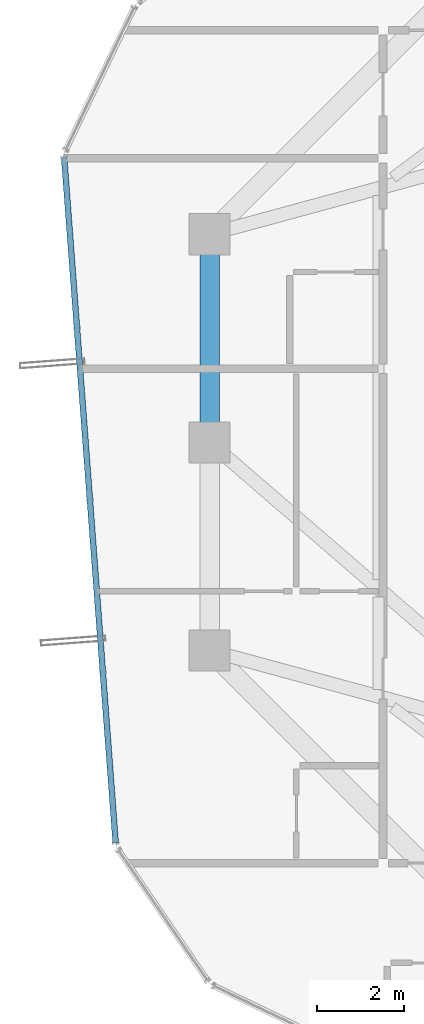
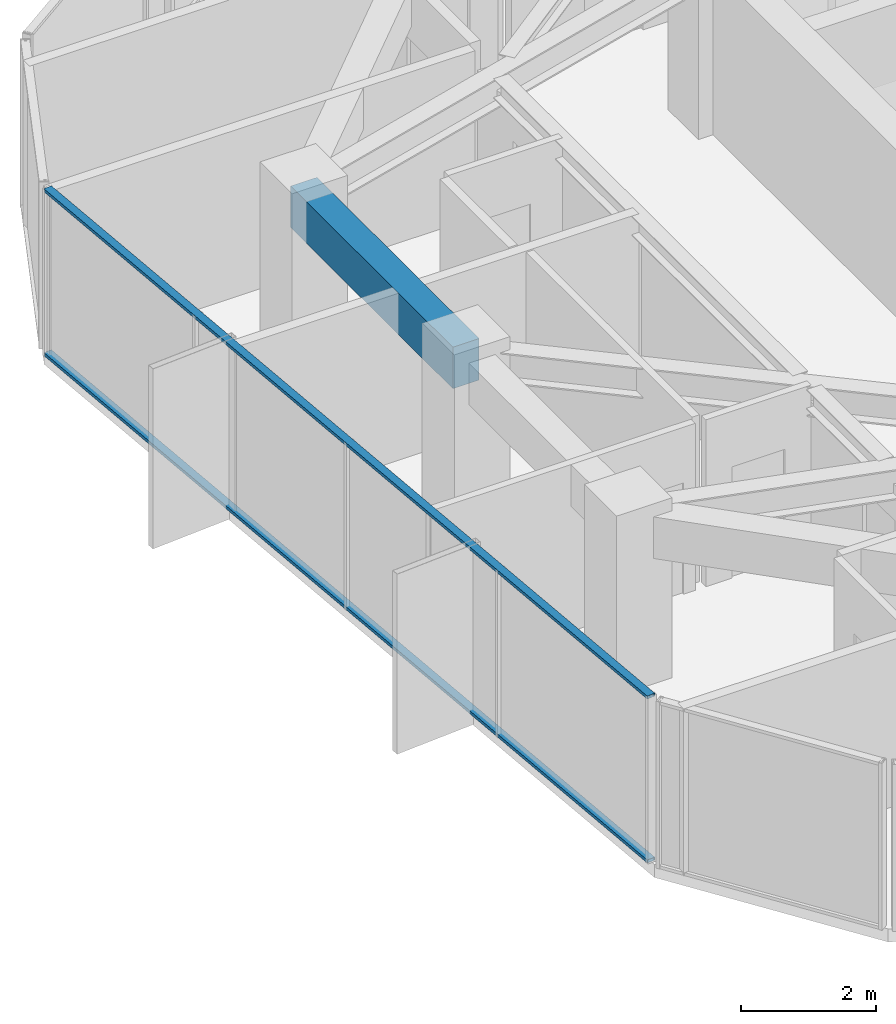
# One storey, part 13 of 34: 2 members, 1 beam, 1 element without a shape of its own.
"""IFC4 building model written with IfcOpenShell, lengths in metres."""

from ifc_helpers import new_model, si_unit, direction, frame, origin, origin_2d, place, context, subcontext, project, spatial, rectangle, hollow_rectangle, extrude, source, transform, mapped, material, layer, layer_set, material_profile, profile_set, type_object, element, aggregate, save


model = new_model("IFC4")

# Units and contexts
model_context = context("Model", 3, precision=1e-05, world=origin(), true_north=direction((0.0, 1.0)))
body_context = subcontext(model_context, "Body", "Model", "MODEL_VIEW")
ifc_project = project(units=[si_unit("LENGTHUNIT", "METRE"), si_unit("AREAUNIT", "SQUARE_METRE"), si_unit("VOLUMEUNIT", "CUBIC_METRE"), si_unit("PLANEANGLEUNIT", "RADIAN"), si_unit("MASSUNIT", "GRAM", prefix="KILO")], contexts=[model_context])

# Site, building, storey
site_placement = place(None, origin())
site = spatial("IfcSite", under=ifc_project, at=site_placement, CompositionType="ELEMENT")
building_placement = place(site_placement, origin())
building = spatial("IfcBuilding", under=site, at=building_placement, Name="Veraguas Prism Commons", CompositionType="ELEMENT")
storey_placement = place(building_placement, frame((0.0, 0.0, 191.85009765625)))
storey = spatial("IfcBuildingStorey", under=building, at=storey_placement, Name="L54", CompositionType="ELEMENT", Elevation=191.85009765625)

# Beam
ifc_material_1 = material(Name="Concrete C50/60", Category="concrete")
ifc_material_profile_1 = material_profile(ifc_material_1, rectangle(XDim=0.449951171875, YDim=0.75, at=origin_2d()), Name="RC450X750")
ifc_profile_set_1 = profile_set([ifc_material_profile_1], Name="Concrete C50/60")
beam_type = type_object("IfcBeamType", Name="Perimeter Spandrel Upper RC 450x750", PredefinedType="SPANDREL", material=ifc_profile_set_1)
beam_placement = place(storey_placement, frame((9.10009765625, 28.800048828125, 2.639892578125), z_axis=(0.0, -1.0, 0.0), x_axis=(1.0, 0.0, 0.0)))
element("IfcBeam", 1, at=beam_placement, inside=storey, type_object=beam_type, Name="Perimeter Spandrel Beam L54-SP07", PredefinedType="SPANDREL", context=body_context, shape_type="SweptSolid", body=[
    extrude(rectangle(XDim=0.449951171875, YDim=0.75, at=origin_2d()), origin(), (0.0, 0.0, 1.0), 4.800048828125),
])

# Curtain wall, members
ifc_material_2 = material(Name="Anodised aluminium EN AW-6063 T6", Category="aluminium")
ifc_layer = layer(ifc_material_2, 0.14990234375, Name="Unitised Flush Curtain Wall Zone 3", Category="aluminium")
ifc_layer_set = layer_set([ifc_layer], Name="Anodised aluminium EN AW-6063 T6")
curtain_wall_type = type_object("IfcCurtainWallType", Name="Unitised Flush Curtain Wall Zone 3", PredefinedType="NOTDEFINED", material=ifc_layer_set)
curtain_wall_placement = place(storey_placement, origin())
curtain_wall = element("IfcCurtainWall", 2, at=curtain_wall_placement, inside=storey, type_object=curtain_wall_type, Name="Tower Facade Curtain Wall L54-F3", PredefinedType="NOTDEFINED")
ifc_material_profile_2 = material_profile(ifc_material_2, hollow_rectangle(XDim=0.054931640625, YDim=0.135009765625, WallThickness=0.0029296875, at=origin_2d()), Name="AL55X135X3")
ifc_profile_set_2 = profile_set([ifc_material_profile_2], Name="Anodised aluminium EN AW-6063 T6")
member_type = type_object("IfcMemberType", Name="Curtain Wall Transom Standard AL 55x135x3", PredefinedType="USERDEFINED", material=ifc_profile_set_2)
shared_shape = source(origin(), body_context, "Body", "SweptSolid", [
    extrude(hollow_rectangle(XDim=0.054931640625, YDim=0.135009765625, WallThickness=0.0029296875, at=origin_2d()), origin(), (0.0, 0.0, 1.0), 15.842529296875),
])
member_1_placement = place(storey_placement, frame((5.745849609375, 30.571044921875, 0.02734375), z_axis=(0.074972306716, -0.997185616235, 0.0), x_axis=(0.0, 0.0, 1.0)))
member_1 = element("IfcMember", 3, at=member_1_placement, type_object=member_type, Name="CW-Z3 Transom 1", ObjectType="TRANSOM", PredefinedType="USERDEFINED", context=body_context, shape_type="MappedRepresentation", body=[
    mapped(shared_shape, transform((0.0, 0.0, 0.0), scale=1.0)),
])
member_2_placement = place(storey_placement, frame((5.745849609375, 30.571044921875, 2.9873046875), z_axis=(0.074972306716, -0.997185616235, 0.0), x_axis=(0.0, 0.0, 1.0)))
member_2 = element("IfcMember", 4, at=member_2_placement, type_object=member_type, Name="CW-Z3 Transom 2", ObjectType="TRANSOM", PredefinedType="USERDEFINED", context=body_context, shape_type="MappedRepresentation", body=[
    mapped(shared_shape, transform((0.0, 0.0, 0.0), scale=1.0)),
])
aggregate(curtain_wall, [member_1, member_2])

save(model, "model.ifc")
